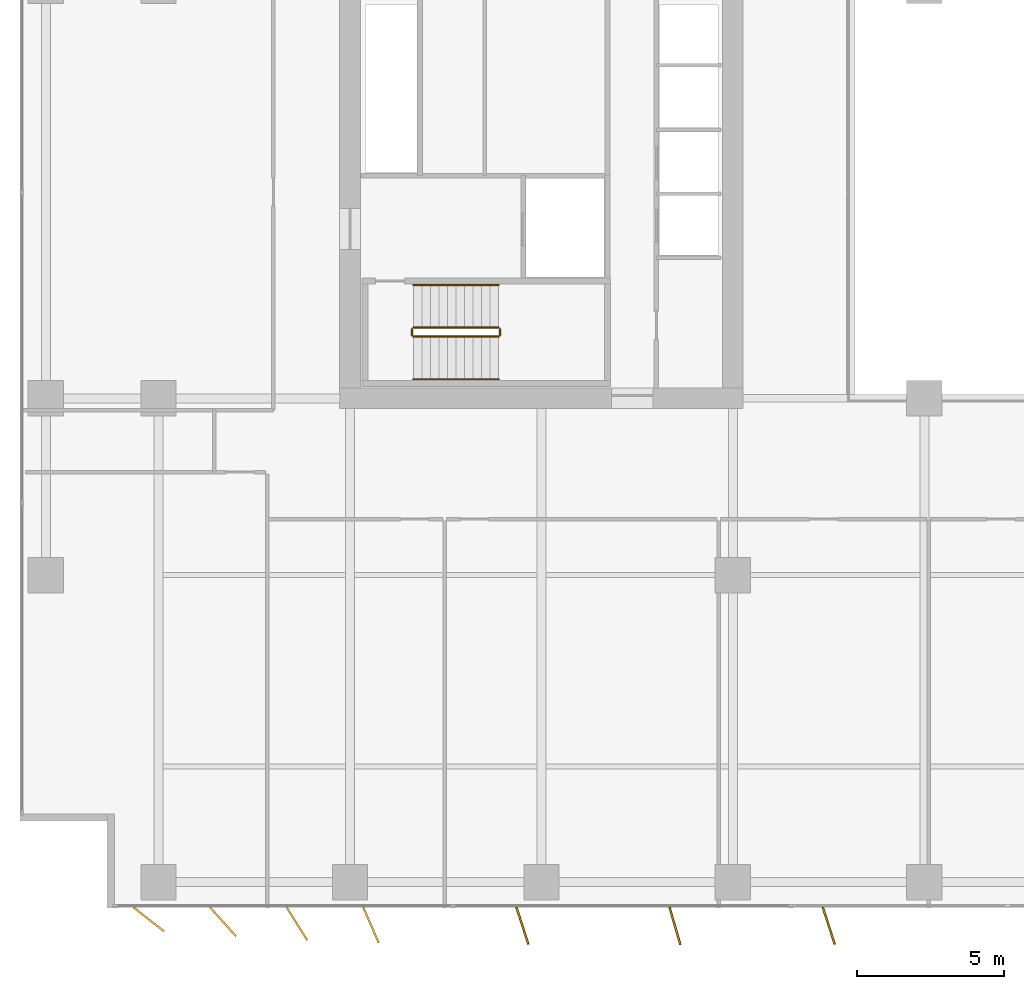
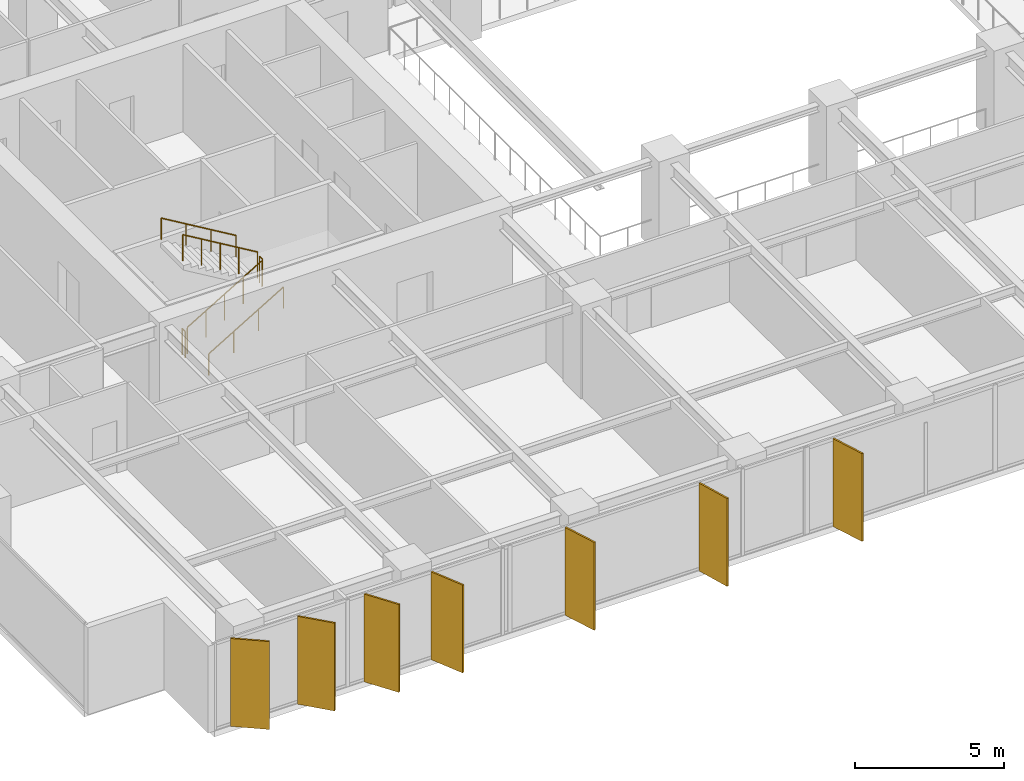
# One storey, part 17 of 20: 7 shading devices, 6 railings.
"""IFC4 building model written with IfcOpenShell, lengths in metres."""

from ifc_helpers import new_model, si_unit, direction, frame, origin, origin_2d, place, context, subcontext, project, spatial, rectangle, circle, extrude, material, layer, layer_set, type_object, element, save


model = new_model("IFC4")

# Units and contexts
model_context = context("Model", 3, precision=1e-05, world=origin(), true_north=direction((0.0, 1.0)))
body_context = subcontext(model_context, "Body", "Model", "MODEL_VIEW")
ifc_project = project(units=[si_unit("LENGTHUNIT", "METRE"), si_unit("AREAUNIT", "SQUARE_METRE"), si_unit("VOLUMEUNIT", "CUBIC_METRE"), si_unit("PLANEANGLEUNIT", "RADIAN"), si_unit("MASSUNIT", "GRAM", prefix="KILO")], contexts=[model_context])

# Site, building, storey
site_placement = place(None, origin())
site = spatial("IfcSite", under=ifc_project, at=site_placement, CompositionType="ELEMENT")
building_placement = place(site_placement, origin())
building = spatial("IfcBuilding", under=site, at=building_placement, Name="Putna Gate Headquarters", CompositionType="ELEMENT")
storey_placement = place(building_placement, frame((0.0, 0.0, 127.800048828125)))
storey = spatial("IfcBuildingStorey", under=building, at=storey_placement, Name="L31", CompositionType="ELEMENT", Elevation=127.800048828125)

# Railings
ifc_material_1 = material(Name="Powder-coated steel stair guardrail", Category="steel")
railing_type_1 = type_object("IfcRailingType", Name="RAIL-STAIR-GUARD-1100", PredefinedType="GUARDRAIL", material=ifc_material_1)
railing_1_placement = place(storey_placement, frame((15.14990234375, 21.10009765625, 0.172607421875)))
element("IfcRailing", 1, at=railing_1_placement, inside=storey, type_object=railing_type_1, Name="L31 ST1 stair guard 1", PredefinedType="GUARDRAIL", context=body_context, shape_type="SweptSolid", body=[
    extrude(circle(Radius=0.02392578125, at=origin_2d()), frame((0.0, 0.0, 1.076171875), z_axis=(0.859160404282, 0.0, 0.51170636083), x_axis=(0.0, 1.0, 0.0)), (0.0, 0.0, 1.0), 3.37548828125),
    extrude(circle(Radius=0.02099609375, at=origin_2d()), origin(), (0.0, 0.0, 1.0), 1.052001953125),
    extrude(circle(Radius=0.02099609375, at=origin_2d()), frame((0.72509765625, 0.0, 0.431884765625)), (0.0, 0.0, 1.0), 1.052001953125),
    extrude(circle(Radius=0.02099609375, at=origin_2d()), frame((1.4501953125, 0.0, 0.86376953125)), (0.0, 0.0, 1.0), 1.052001953125),
    extrude(circle(Radius=0.02099609375, at=origin_2d()), frame((2.175048828125, 0.0, 1.29541015625)), (0.0, 0.0, 1.0), 1.052001953125),
    extrude(circle(Radius=0.02099609375, at=origin_2d()), frame((2.900146484375, 0.0, 1.727294921875)), (0.0, 0.0, 1.0), 1.052001953125),
])
railing_2_placement = place(storey_placement, frame((18.10009765625, 21.14990234375, 1.89990234375)))
element("IfcRailing", 2, at=railing_2_placement, inside=storey, type_object=railing_type_1, Name="L31 ST1 stair guard 2", PredefinedType="GUARDRAIL", context=body_context, shape_type="SweptSolid", body=[
    extrude(circle(Radius=0.02392578125, at=origin_2d()), frame((0.0, 0.0, 1.076171875), z_axis=(0.0, 1.0, 0.0), x_axis=(-1.0, 0.0, 0.0)), (0.0, 0.0, 1.0), 0.2001953125),
    extrude(circle(Radius=0.02099609375, at=origin_2d()), origin(), (0.0, 0.0, 1.0), 1.052001953125),
    extrude(circle(Radius=0.02099609375, at=origin_2d()), frame((0.0, 0.2001953125, 0.0)), (0.0, 0.0, 1.0), 1.052001953125),
])
railing_3_placement = place(storey_placement, frame((18.050048828125, 21.39990234375, 2.07275390625)))
element("IfcRailing", 3, at=railing_3_placement, inside=storey, type_object=railing_type_1, Name="L31 ST1 stair guard 3", PredefinedType="GUARDRAIL", context=body_context, shape_type="SweptSolid", body=[
    extrude(circle(Radius=0.02392578125, at=origin_2d()), frame((0.0, 0.0, 1.076171875), z_axis=(-0.859160404282, 0.0, 0.51170636083), x_axis=(0.0, -1.0, 0.0)), (0.0, 0.0, 1.0), 3.37548828125),
    extrude(circle(Radius=0.02099609375, at=origin_2d()), origin(), (0.0, 0.0, 1.0), 1.052001953125),
    extrude(circle(Radius=0.02099609375, at=origin_2d()), frame((-0.72509765625, 0.0, 0.431884765625)), (0.0, 0.0, 1.0), 1.052001953125),
    extrude(circle(Radius=0.02099609375, at=origin_2d()), frame((-1.4501953125, 0.0, 0.86376953125)), (0.0, 0.0, 1.0), 1.052001953125),
    extrude(circle(Radius=0.02099609375, at=origin_2d()), frame((-2.175048828125, 0.0, 1.29541015625)), (0.0, 0.0, 1.0), 1.052001953125),
    extrude(circle(Radius=0.02099609375, at=origin_2d()), frame((-2.900146484375, 0.0, 1.727294921875)), (0.0, 0.0, 1.0), 1.052001953125),
])
railing_4_placement = place(storey_placement, frame((15.10009765625, 21.14990234375, 0.0)))
element("IfcRailing", 4, at=railing_4_placement, inside=storey, type_object=railing_type_1, Name="L31 ST1 stair guard 4", PredefinedType="GUARDRAIL", context=body_context, shape_type="SweptSolid", body=[
    extrude(circle(Radius=0.02392578125, at=origin_2d()), frame((0.0, 0.0, 1.076171875), z_axis=(0.0, 1.0, 0.0), x_axis=(-1.0, 0.0, 0.0)), (0.0, 0.0, 1.0), 0.2001953125),
    extrude(circle(Radius=0.02099609375, at=origin_2d()), origin(), (0.0, 0.0, 1.0), 1.052001953125),
    extrude(circle(Radius=0.02099609375, at=origin_2d()), frame((0.0, 0.2001953125, 0.0)), (0.0, 0.0, 1.0), 1.052001953125),
])
ifc_material_2 = material(Name="Brushed stainless steel handrail", Category="steel")
railing_type_2 = type_object("IfcRailingType", Name="RAIL-STAIR-HAND-900", PredefinedType="HANDRAIL", material=ifc_material_2)
railing_5_placement = place(storey_placement, frame((15.14990234375, 19.64990234375, 0.172607421875)))
element("IfcRailing", 5, at=railing_5_placement, inside=storey, type_object=railing_type_2, Name="L31 ST1 stair handrail 1", PredefinedType="HANDRAIL", context=body_context, shape_type="SweptSolid", body=[
    extrude(circle(Radius=0.02392578125, at=origin_2d()), frame((0.0, 0.0, 0.8759765625), z_axis=(0.859160404282, 0.0, 0.51170636083), x_axis=(0.0, 1.0, 0.0)), (0.0, 0.0, 1.0), 3.37548828125),
    extrude(circle(Radius=0.02099609375, at=origin_2d()), origin(), (0.0, 0.0, 1.0), 0.851806640625),
    extrude(circle(Radius=0.02099609375, at=origin_2d()), frame((0.966796875, 0.0, 0.57568359375)), (0.0, 0.0, 1.0), 0.851806640625),
    extrude(circle(Radius=0.02099609375, at=origin_2d()), frame((1.933349609375, 0.0, 1.151611328125)), (0.0, 0.0, 1.0), 0.851806640625),
    extrude(circle(Radius=0.02099609375, at=origin_2d()), frame((2.900146484375, 0.0, 1.727294921875)), (0.0, 0.0, 1.0), 0.851806640625),
])
railing_6_placement = place(storey_placement, frame((18.050048828125, 22.85009765625, 2.07275390625)))
element("IfcRailing", 6, at=railing_6_placement, inside=storey, type_object=railing_type_2, Name="L31 ST1 stair handrail 2", PredefinedType="HANDRAIL", context=body_context, shape_type="SweptSolid", body=[
    extrude(circle(Radius=0.02392578125, at=origin_2d()), frame((0.0, 0.0, 0.8759765625), z_axis=(-0.859160404282, 0.0, 0.51170636083), x_axis=(0.0, -1.0, 0.0)), (0.0, 0.0, 1.0), 3.37548828125),
    extrude(circle(Radius=0.02099609375, at=origin_2d()), origin(), (0.0, 0.0, 1.0), 0.851806640625),
    extrude(circle(Radius=0.02099609375, at=origin_2d()), frame((-0.966796875, 0.0, 0.57568359375)), (0.0, 0.0, 1.0), 0.851806640625),
    extrude(circle(Radius=0.02099609375, at=origin_2d()), frame((-1.933349609375, 0.0, 1.151611328125)), (0.0, 0.0, 1.0), 0.851806640625),
    extrude(circle(Radius=0.02099609375, at=origin_2d()), frame((-2.900146484375, 0.0, 1.727294921875)), (0.0, 0.0, 1.0), 0.851806640625),
])

# Shading devices
ifc_material_3 = material(Name="Anodised architectural bronze aluminium fin", Category="aluminium")
ifc_layer = layer(ifc_material_3, 0.06494140625)
ifc_layer_set = layer_set([ifc_layer], Name="Anodised architectural bronze aluminium fin")
shading_device_type = type_object("IfcShadingDeviceType", Name="SHADE-BRONZE-FIN-1320", PredefinedType="USERDEFINED", material=ifc_layer_set)
for number, where, z_axis, x_axis, name in (
    (7, (6.169677734375, 1.318115234375, -0.02001953125), (0.0, 0.0, 1.0), (0.787473187632, -0.616348909921, 0.0), "L31 Bronze Vertical Shading Fin S1"),
    (8, (8.691650390625, 1.234619140625, -0.02001953125), (0.0, 0.0, 1.0), (0.669130606359, -0.743144825477, 0.0), "L31 Bronze Vertical Shading Fin S2"),
    (9, (11.2001953125, 1.16552734375, -0.02001953125), (0.0, 0.0, 1.0), (0.530659123936, -0.847585331506, 0.0), "L31 Bronze Vertical Shading Fin S3"),
    (10, (13.71435546875, 1.120361328125, -0.02001953125), (0.0, 0.0, 1.0), (0.400668879095, -0.916222925562, 0.0), "L31 Bronze Vertical Shading Fin S4"),
    (11, (18.853759765625, 1.09716796875, -0.02001953125), (0.0, 0.0, 1.0), (0.308684994204, -0.951164325631, 0.0), "L31 Bronze Vertical Shading Fin S5"),
    (12, (24.031982421875, 1.090576171875, -0.02001953125), (0.0, 0.0, 1.0), (0.275637355817, -0.961261695938, 0.0), "L31 Bronze Vertical Shading Fin S6"),
    (13, (29.253662109375, 1.09716796875, -0.02001953125), (0.0, 0.0, 1.0), (0.308684994204, -0.951164325631, 0.0), "L31 Bronze Vertical Shading Fin S7"),
):
    element("IfcShadingDevice", number, at=place(storey_placement, frame(where, z_axis=z_axis, x_axis=x_axis)), inside=storey, type_object=shading_device_type, Name=name, ObjectType="FIN", PredefinedType="USERDEFINED", context=body_context, shape_type="SweptSolid", body=[
        extrude(rectangle(XDim=1.320068359375, YDim=0.06494140625, at=origin_2d()), origin(), (0.0, 0.0, 1.0), 3.60498046875),
    ])

save(model, "model.ifc")
